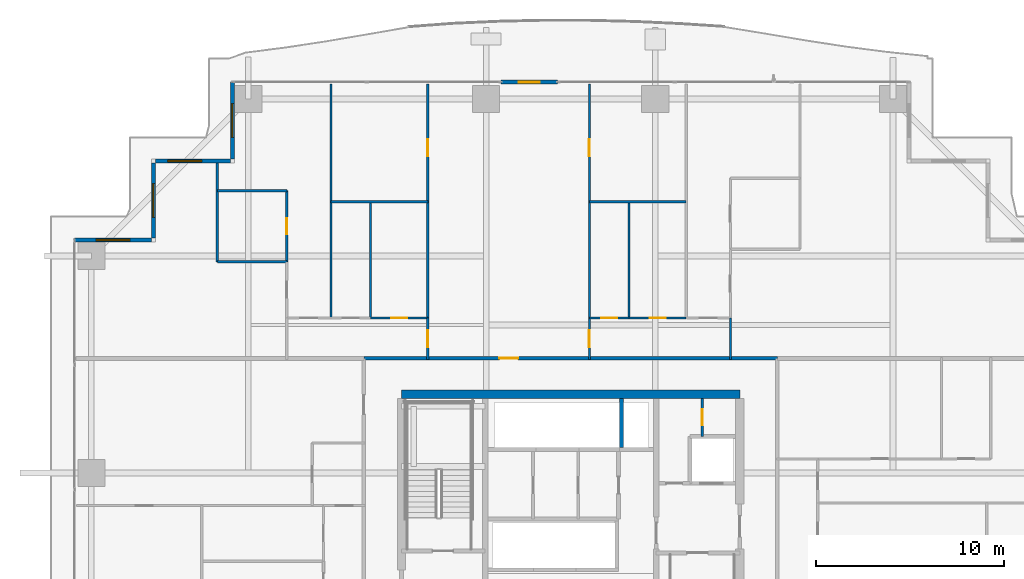
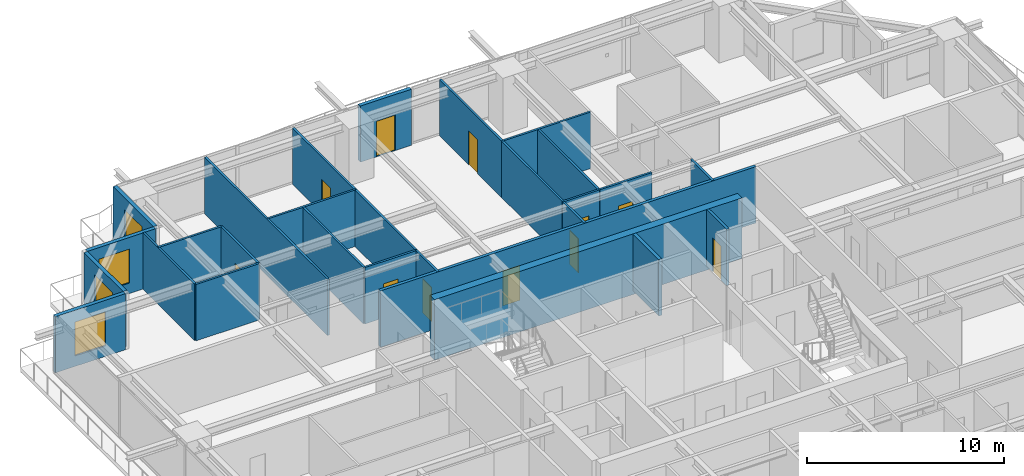
# One storey, part 31 of 39: 28 walls, 11 doors, 4 windows, 15 openings.
"""IFC4 building model written with IfcOpenShell, lengths in metres."""

import ifcopenshell
import ifcopenshell.guid

model = None  # the IFC model being written
_history = None  # IfcOwnerHistory: only IFC2X3 demands one
_inside = {}  # id of a spatial element -> (the spatial element, [elements in it])
_under = {}  # id of a project, library or spatial element -> (it, [spatial elements below it])
_declared = {}  # id of a project -> (the project, [libraries it declares])
_typed = {}  # id of a type object -> (the type object, [elements of that type])
_made_of = {}  # id of a material, layer set ... -> (it, [elements and type objects made of it])


def new_model(schema):
    """Start an empty IFC model of exactly this schema.

    Asked for "IFC4X3", IfcOpenShell would pick the latest addendum, in which some entities
    have other attributes; the version numbers below select the first issue.
    IFC2X3 requires an IfcOwnerHistory on every rooted entity: one is made here for all.
    """
    global model, _history
    if schema == "IFC4X3":
        model = ifcopenshell.file(schema_version=(4, 3, 0, 0))
    else:
        model = ifcopenshell.file(schema=schema)
    _inside.clear()
    _under.clear()
    _declared.clear()
    _typed.clear()
    _made_of.clear()
    _history = None
    if model.schema == "IFC2X3":
        org = make("IfcOrganization", Name="unknown")
        user = make(
            "IfcPersonAndOrganization",
            ThePerson=make("IfcPerson", FamilyName="unknown"),
            TheOrganization=org,
        )
        app = make(
            "IfcApplication",
            ApplicationDeveloper=org,
            Version="unknown",
            ApplicationFullName="unknown",
            ApplicationIdentifier="unknown",
        )
        _history = make(
            "IfcOwnerHistory",
            OwningUser=user,
            OwningApplication=app,
            ChangeAction="ADDED",
            CreationDate=0,
        )
    return model


def make(cls, **values):
    """One entity of the class cls with the attributes given. An attribute that is None is left unset."""
    return model.create_entity(
        cls, **{name: value for name, value in values.items() if value is not None}
    )


def rooted(cls, **values):
    """An entity with a GlobalId (a new one), such as an element, a storey or a relation."""
    return make(cls, GlobalId=ifcopenshell.guid.new(), OwnerHistory=_history, **values)


def si_unit(unit_type, name, prefix=None):
    """IfcSIUnit, for example si_unit("LENGTHUNIT", "METRE", prefix="MILLI")."""
    return make("IfcSIUnit", UnitType=unit_type, Prefix=prefix, Name=name)


def assignment(units):
    """IfcUnitAssignment: the units of a project."""
    return None if units is None else make("IfcUnitAssignment", Units=units)


def point(xyz):
    """IfcCartesianPoint."""
    return None if xyz is None else make("IfcCartesianPoint", Coordinates=xyz)


def direction(xyz):
    """IfcDirection."""
    return None if xyz is None else make("IfcDirection", DirectionRatios=xyz)


def frame(location, z_axis=None, x_axis=None):
    """IfcAxis2Placement3D, a coordinate frame: its origin and axes. An axis left out is left unset."""
    return make(
        "IfcAxis2Placement3D",
        Location=point(location),
        Axis=direction(z_axis),
        RefDirection=direction(x_axis),
    )


def frame_2d(location, x_axis=None):
    """IfcAxis2Placement2D, a coordinate frame in the plane: its origin and x axis."""
    return make(
        "IfcAxis2Placement2D", Location=point(location), RefDirection=direction(x_axis)
    )


def origin():
    """The frame at (0, 0, 0) with its axes left unset."""
    return frame((0.0, 0.0, 0.0))


def place(relative_to, where):
    """IfcLocalPlacement: puts the frame where relative to a parent placement (None: the world)."""
    return make(
        "IfcLocalPlacement", PlacementRelTo=relative_to, RelativePlacement=where
    )


def context(
    kind, dimensions, precision=None, world=None, true_north=None, identifier=None
):
    """IfcGeometricRepresentationContext, for example the 3D "Model" context."""
    return make(
        "IfcGeometricRepresentationContext",
        ContextIdentifier=identifier,
        ContextType=kind,
        CoordinateSpaceDimension=dimensions,
        Precision=precision,
        WorldCoordinateSystem=world,
        TrueNorth=true_north,
    )


def subcontext(parent, identifier, kind, view, scale=None):
    """IfcGeometricRepresentationSubContext, for example "Body" below "Model"."""
    return make(
        "IfcGeometricRepresentationSubContext",
        ContextIdentifier=identifier,
        ContextType=kind,
        ParentContext=parent,
        TargetScale=scale,
        TargetView=view,
    )


def project(units=None, contexts=None):
    """IfcProject with its units and contexts."""
    return rooted(
        "IfcProject",
        Name="project",
        RepresentationContexts=contexts,
        UnitsInContext=assignment(units),
    )


def spatial(cls, under=None, at=None, **own):
    """A site, building, storey or space (cls), placed at a placement, below another one or the project."""
    s = rooted(cls, ObjectPlacement=at, **own)
    if under is not None:
        _under.setdefault(under.id(), (under, []))[1].append(s)
    return s


def profile(cls, at=None, kind="AREA", **sizes):
    """A parametric profile (cls). Its sizes go by their IFC names, for example OverallWidth=200.0."""
    return make(cls, ProfileType=kind, Position=at, **sizes)


def rectangle(**sizes):
    """IfcRectangleProfileDef."""
    return profile("IfcRectangleProfileDef", **sizes)


def extrude(swept, where, along, depth):
    """IfcExtrudedAreaSolid: the profile swept, set in the frame where, extruded along a direction by depth."""
    return make(
        "IfcExtrudedAreaSolid",
        SweptArea=swept,
        Position=where,
        ExtrudedDirection=direction(along),
        Depth=depth,
    )


def shape(context_of_items, identifier, shape_type, items):
    """IfcShapeRepresentation: the items that make up one representation, for example the "Body"."""
    return make(
        "IfcShapeRepresentation",
        ContextOfItems=context_of_items,
        RepresentationIdentifier=identifier,
        RepresentationType=shape_type,
        Items=items,
    )


def source(mapping_origin, context_of_items, identifier, shape_type, items):
    """IfcRepresentationMap: a shape defined once, which mapped items show again and again."""
    return make(
        "IfcRepresentationMap",
        MappingOrigin=mapping_origin,
        MappedRepresentation=shape(context_of_items, identifier, shape_type, items),
    )


def transform(
    local_origin,
    x_axis=None,
    y_axis=None,
    z_axis=None,
    scale=None,
    scale2=None,
    scale3=None,
    uniform=True,
):
    """IfcCartesianTransformationOperator3D, or its non-uniform kind. x_axis, y_axis, z_axis: its Axis1, 2, 3."""
    if uniform:
        return make(
            "IfcCartesianTransformationOperator3D",
            Axis1=direction(x_axis),
            Axis2=direction(y_axis),
            LocalOrigin=point(local_origin),
            Scale=scale,
            Axis3=direction(z_axis),
        )
    return make(
        "IfcCartesianTransformationOperator3DnonUniform",
        Axis1=direction(x_axis),
        Axis2=direction(y_axis),
        LocalOrigin=point(local_origin),
        Scale=scale,
        Axis3=direction(z_axis),
        Scale2=scale2,
        Scale3=scale3,
    )


def mapped(mapping_source, mapping_target):
    """IfcMappedItem: shows the shape of a source again, moved by a transform."""
    return make(
        "IfcMappedItem", MappingSource=mapping_source, MappingTarget=mapping_target
    )


def material(Name=None, Category=None):
    """IfcMaterial."""
    return make("IfcMaterial", Name=Name, Category=Category)


def layer(
    of_material, thickness, ventilated=None, Name=None, Category=None, Priority=None
):
    """IfcMaterialLayer: one layer of a wall or slab, of a material (None: an air gap)."""
    return make(
        "IfcMaterialLayer",
        Material=of_material,
        LayerThickness=thickness,
        IsVentilated=ventilated,
        Name=Name,
        Category=Category,
        Priority=Priority,
    )


def layer_set(layers, Name=None):
    """IfcMaterialLayerSet."""
    return make("IfcMaterialLayerSet", MaterialLayers=layers, LayerSetName=Name)


def made_of(thing, what):
    """Note that an element or type object is made of a material, layer set ...; save() writes the relation."""
    if what is not None:
        _made_of.setdefault(what.id(), (what, []))[1].append(thing)
    return thing


def type_object(cls, material=None, **own):
    """A type object (cls), such as IfcWallType, which elements share."""
    return made_of(rooted(cls, **own), material)


def element(
    cls,
    number,
    at=None,
    inside=None,
    cuts=None,
    type_object=None,
    material=None,
    context=None,
    identifier="Body",
    shape_type=None,
    held_by="IfcProductDefinitionShape",
    body=None,
    shapes=None,
    **own,
):
    """One element of the class cls, such as IfcWall. Its Tag is "e" and its number.

    at: its placement. inside: the storey or other place that contains it. cuts: it is an
    opening in that element (IfcRelVoidsElement). A single representation is given by context,
    identifier, shape_type and body (its items); several are given by shapes. held_by: the class
    of the entity that holds the representations. save() writes the other relations.
    """
    e = rooted(cls, Tag="e%d" % number, ObjectPlacement=at, **own)
    if body is not None:
        shapes = [shape(context, identifier, shape_type, body)]
    if shapes is not None:
        e.Representation = make(held_by, Representations=shapes)
    if inside is not None:
        _inside.setdefault(inside.id(), (inside, []))[1].append(e)
    if cuts is not None:
        rooted(
            "IfcRelVoidsElement", RelatingBuildingElement=cuts, RelatedOpeningElement=e
        )
    if type_object is not None:
        _typed.setdefault(type_object.id(), (type_object, []))[1].append(e)
    return made_of(e, material)


def fill(opening, filler):
    """IfcRelFillsElement: the door or window that sits in an opening."""
    return rooted(
        "IfcRelFillsElement",
        RelatingOpeningElement=opening,
        RelatedBuildingElement=filler,
    )


def aggregate(whole, parts):
    """IfcRelAggregates: a whole, such as a stair, and the parts it consists of."""
    return rooted("IfcRelAggregates", RelatingObject=whole, RelatedObjects=parts)


def save(model, path):
    """Write the relations noted so far, then the file.

    IfcRelAggregates (storeys below a building ...), IfcRelContainedInSpatialStructure (elements
    in a storey), IfcRelDefinesByType, IfcRelAssociatesMaterial and IfcRelDeclares: one each for
    every whole, place, type object, material and project.
    """
    for whole, parts in _under.values():
        aggregate(whole, parts)
    for where, things in _inside.values():
        rooted(
            "IfcRelContainedInSpatialStructure",
            RelatedElements=things,
            RelatingStructure=where,
        )
    for kind, things in _typed.values():
        rooted("IfcRelDefinesByType", RelatedObjects=things, RelatingType=kind)
    for what, things in _made_of.values():
        rooted("IfcRelAssociatesMaterial", RelatedObjects=things, RelatingMaterial=what)
    for by, libraries in _declared.values():
        rooted("IfcRelDeclares", RelatingContext=by, RelatedDefinitions=libraries)
    model.write(path)


model = new_model("IFC4")

# Units and contexts
model_context = context("Model", 3, precision=1e-05, world=origin(), true_north=direction((0.0, 1.0)))
body_context = subcontext(model_context, "Body", "Model", "MODEL_VIEW")
ifc_project = project(units=[si_unit("LENGTHUNIT", "METRE"), si_unit("AREAUNIT", "SQUARE_METRE"), si_unit("VOLUMEUNIT", "CUBIC_METRE"), si_unit("PLANEANGLEUNIT", "RADIAN"), si_unit("MASSUNIT", "GRAM", prefix="KILO")], contexts=[model_context])

# Site, building, storey
site_placement = place(None, origin())
site = spatial("IfcSite", under=ifc_project, at=site_placement, CompositionType="ELEMENT")
building_placement = place(site_placement, origin())
building = spatial("IfcBuilding", under=site, at=building_placement, Name="Serunith Strait Residences", CompositionType="ELEMENT")
storey_placement = place(building_placement, frame((0.0, 0.0, 97.949951171875)))
storey = spatial("IfcBuildingStorey", under=building, at=storey_placement, Name="L24", CompositionType="ELEMENT", Elevation=97.949951171875)

# Wall, opening, door
ifc_material_1 = material(Name="Pale-Champagne Aluminium Insulated Panel", Category="aluminium")
ifc_layer_1 = layer(ifc_material_1, 0.219970703125, Name="Pale-Champagne Aluminium Insulated Panel")
ifc_layer_set_1 = layer_set([ifc_layer_1], Name="Pale-Champagne Aluminium Insulated Panel")
wall_type_1 = type_object("IfcWallType", Name="EW-ALUM-220", PredefinedType="ELEMENTEDWALL", material=ifc_layer_set_1)
wall_1_placement = place(storey_placement, frame((31.699951171875, 50.199951171875, 0.0), z_axis=(0.0, 0.0, 1.0), x_axis=(-1.0, 0.0, 0.0)))
wall_1 = element("IfcWall", 1, at=wall_1_placement, inside=storey, type_object=wall_type_1, Name="L24 N Facade Pier Wall", PredefinedType="ELEMENTEDWALL", context=body_context, shape_type="SweptSolid", body=[
    extrude(rectangle(XDim=3.0, YDim=0.219970703125, at=frame_2d((1.5, 0.0))), origin(), (0.0, 0.0, 1.0), 3.47509765625),
])
opening_1_placement = place(wall_1_placement, frame((0.949951171875, 0.0, 0.0)))
opening_1 = element("IfcOpeningElement", 2, at=opening_1_placement, cuts=wall_1, Name="Opening ED-03", PredefinedType="OPENING", context=body_context, shape_type="SweptSolid", body=[
    extrude(rectangle(XDim=1.10009765625, YDim=2.199951171875, at=frame_2d((0.550048828125, 1.10009765625))), frame((0.0, 0.1201171875, 0.0), z_axis=(0.0, -1.0, 0.0), x_axis=(1.0, 0.0, 0.0)), (0.0, 0.0, 1.0), 0.239990234375),
])
ifc_material_2 = material(Name="Thermally-Broken Aluminium Glazed Balcony Door", Category="aluminium")
door_type_1 = type_object("IfcDoorType", Name="ED-BALC-1100", OperationType="NOTDEFINED", PredefinedType="DOOR", material=ifc_material_2)
shared_shape_1 = source(origin(), body_context, "Body", "SweptSolid", [
    extrude(rectangle(XDim=1.10009765625, YDim=2.199951171875, at=frame_2d((0.550048828125, 1.10009765625))), frame((0.0, 0.02490234375, 0.0), z_axis=(0.0, -1.0, 0.0), x_axis=(1.0, 0.0, 0.0)), (0.0, 0.0, 1.0), 0.050048828125),
])
door_1_placement = place(opening_1_placement, origin())
door_1 = element("IfcDoor", 3, at=door_1_placement, inside=storey, type_object=door_type_1, Name="L24 N Vertical-Forest Balcony Door", OperationType="SINGLE_SWING_RIGHT", OverallHeight=2.199951171875, OverallWidth=1.10009765625, PredefinedType="DOOR", context=body_context, shape_type="MappedRepresentation", body=[
    mapped(shared_shape_1, transform((0.0, 0.0, 0.0), scale=1.0)),
])
fill(opening_1, door_1)

# Wall, opening, window
wall_2_placement = place(storey_placement, frame((14.39990234375, 50.199951171875, 0.0), z_axis=(0.0, 0.0, 1.0), x_axis=(0.0, -1.0, 0.0)))
wall_2 = element("IfcWall", 4, at=wall_2_placement, inside=storey, type_object=wall_type_1, Name="L24 Girih Serrated Corner Wall 12", PredefinedType="ELEMENTEDWALL", context=body_context, shape_type="SweptSolid", body=[
    extrude(rectangle(XDim=4.08984375, YDim=0.219970703125, at=frame_2d((2.044921875, 0.0))), origin(), (0.0, 0.0, 1.0), 3.47509765625),
])
opening_2_placement = place(wall_2_placement, frame((1.14501953125, 0.0, 0.64990234375)))
opening_2 = element("IfcOpeningElement", 5, at=opening_2_placement, cuts=wall_2, Name="Opening W-01", PredefinedType="OPENING", context=body_context, shape_type="SweptSolid", body=[
    extrude(rectangle(XDim=1.800048828125, YDim=2.10009765625, at=frame_2d((0.89990234375, 1.050048828125))), frame((0.0, 0.1201171875, 0.0), z_axis=(0.0, -1.0, 0.0), x_axis=(1.0, 0.0, 0.0)), (0.0, 0.0, 1.0), 0.239990234375),
])
ifc_material_3 = material(Name="Ceramic-Fritted Operable Aluminium Window Glass", Category="aluminium")
window_type = type_object("IfcWindowType", Name="WIN-C1", PartitioningType="DOUBLE_PANEL_VERTICAL", PredefinedType="WINDOW", material=ifc_material_3)
shared_shape_2 = source(origin(), body_context, "Body", "SweptSolid", [
    extrude(rectangle(XDim=1.800048828125, YDim=2.10009765625, at=frame_2d((0.89990234375, 1.050048828125))), frame((0.0, 0.030029296875, 0.0), z_axis=(0.0, -1.0, 0.0), x_axis=(1.0, 0.0, 0.0)), (0.0, 0.0, 1.0), 0.06005859375),
])
window_1_placement = place(opening_2_placement, origin())
window_1 = element("IfcWindow", 6, at=window_1_placement, inside=storey, type_object=window_type, Name="L24 Corner Operable Fritted Window 12", OverallHeight=2.10009765625, OverallWidth=1.800048828125, PartitioningType="SINGLE_PANEL", PredefinedType="WINDOW", context=body_context, shape_type="MappedRepresentation", body=[
    mapped(shared_shape_2, transform((0.0, 0.0, 0.0), scale=1.0)),
])
fill(opening_2, window_1)

wall_3_placement = place(storey_placement, frame((14.2900390625, 46.0, 0.0), z_axis=(0.0, 0.0, 1.0), x_axis=(-1.0, 0.0, 0.0)))
wall_3 = element("IfcWall", 7, at=wall_3_placement, inside=storey, type_object=wall_type_1, Name="L24 Girih Serrated Corner Wall 13", PredefinedType="ELEMENTEDWALL", context=body_context, shape_type="SweptSolid", body=[
    extrude(rectangle(XDim=3.97998046875, YDim=0.219970703125, at=frame_2d((1.989990234375, 0.0))), origin(), (0.0, 0.0, 1.0), 3.47509765625),
])
opening_3_placement = place(wall_3_placement, frame((1.52587890625, 0.0, 0.64990234375)))
opening_3 = element("IfcOpeningElement", 8, at=opening_3_placement, cuts=wall_3, Name="Opening W-01", PredefinedType="OPENING", context=body_context, shape_type="SweptSolid", body=[
    extrude(rectangle(XDim=1.800048828125, YDim=2.10009765625, at=frame_2d((0.89990234375, 1.050048828125))), frame((0.0, 0.1201171875, 0.0), z_axis=(0.0, -1.0, 0.0), x_axis=(1.0, 0.0, 0.0)), (0.0, 0.0, 1.0), 0.239990234375),
])
window_2_placement = place(opening_3_placement, origin())
window_2 = element("IfcWindow", 9, at=window_2_placement, inside=storey, type_object=window_type, Name="L24 Corner Operable Fritted Window 13", OverallHeight=2.10009765625, OverallWidth=1.800048828125, PartitioningType="SINGLE_PANEL", PredefinedType="WINDOW", context=body_context, shape_type="MappedRepresentation", body=[
    mapped(shared_shape_2, transform((0.0, 0.0, 0.0), scale=1.0)),
])
fill(opening_3, window_2)

wall_4_placement = place(storey_placement, frame((10.199951171875, 45.889892578125, 0.0), z_axis=(0.0, 0.0, 1.0), x_axis=(0.0, -1.0, 0.0)))
wall_4 = element("IfcWall", 10, at=wall_4_placement, inside=storey, type_object=wall_type_1, Name="L24 Girih Serrated Corner Wall 14", PredefinedType="ELEMENTEDWALL", context=body_context, shape_type="SweptSolid", body=[
    extrude(rectangle(XDim=3.97998046875, YDim=0.219970703125, at=frame_2d((1.989990234375, 0.0))), origin(), (0.0, 0.0, 1.0), 3.47509765625),
])
opening_4_placement = place(wall_4_placement, frame((1.090087890625, 0.0, 0.64990234375)))
opening_4 = element("IfcOpeningElement", 11, at=opening_4_placement, cuts=wall_4, Name="Opening W-01", PredefinedType="OPENING", context=body_context, shape_type="SweptSolid", body=[
    extrude(rectangle(XDim=1.800048828125, YDim=2.10009765625, at=frame_2d((0.89990234375, 1.050048828125))), frame((0.0, 0.1201171875, 0.0), z_axis=(0.0, -1.0, 0.0), x_axis=(1.0, 0.0, 0.0)), (0.0, 0.0, 1.0), 0.239990234375),
])
window_3_placement = place(opening_4_placement, origin())
window_3 = element("IfcWindow", 12, at=window_3_placement, inside=storey, type_object=window_type, Name="L24 Corner Operable Fritted Window 14", OverallHeight=2.10009765625, OverallWidth=1.800048828125, PartitioningType="SINGLE_PANEL", PredefinedType="WINDOW", context=body_context, shape_type="MappedRepresentation", body=[
    mapped(shared_shape_2, transform((0.0, 0.0, 0.0), scale=1.0)),
])
fill(opening_4, window_3)

wall_5_placement = place(storey_placement, frame((10.090087890625, 41.800048828125, 0.0), z_axis=(0.0, 0.0, 1.0), x_axis=(-1.0, 0.0, 0.0)))
wall_5 = element("IfcWall", 13, at=wall_5_placement, inside=storey, type_object=wall_type_1, Name="L24 Girih Serrated Corner Wall 15", PredefinedType="ELEMENTEDWALL", context=body_context, shape_type="SweptSolid", body=[
    extrude(rectangle(XDim=4.090087890625, YDim=0.219970703125, at=frame_2d((2.044921875, 0.0))), origin(), (0.0, 0.0, 1.0), 3.47509765625),
])
opening_5_placement = place(wall_5_placement, frame((1.14501953125, 0.0, 0.64990234375)))
opening_5 = element("IfcOpeningElement", 14, at=opening_5_placement, cuts=wall_5, Name="Opening W-01", PredefinedType="OPENING", context=body_context, shape_type="SweptSolid", body=[
    extrude(rectangle(XDim=1.800048828125, YDim=2.10009765625, at=frame_2d((0.89990234375, 1.050048828125))), frame((0.0, 0.1201171875, 0.0), z_axis=(0.0, -1.0, 0.0), x_axis=(1.0, 0.0, 0.0)), (0.0, 0.0, 1.0), 0.239990234375),
])
window_4_placement = place(opening_5_placement, origin())
window_4 = element("IfcWindow", 15, at=window_4_placement, inside=storey, type_object=window_type, Name="L24 Corner Operable Fritted Window 15", OverallHeight=2.10009765625, OverallWidth=1.800048828125, PartitioningType="SINGLE_PANEL", PredefinedType="WINDOW", context=body_context, shape_type="MappedRepresentation", body=[
    mapped(shared_shape_2, transform((0.0, 0.0, 0.0), scale=1.0)),
])
fill(opening_5, window_4)

# Wall, opening, door
ifc_material_4 = material(Name="Fire-rated masonry service closet wall", Category="masonry")
ifc_layer_2 = layer(ifc_material_4, 0.14990234375, Name="Fire-rated masonry service closet wall")
ifc_layer_set_2 = layer_set([ifc_layer_2], Name="Fire-rated masonry service closet wall")
wall_type_2 = type_object("IfcWallType", Name="IW-BOH-150", PredefinedType="PARTITIONING", material=ifc_layer_set_2)
wall_6_placement = place(storey_placement, frame((39.39990234375, 31.35009765625, 0.0), z_axis=(0.0, 0.0, 1.0), x_axis=(0.0, 1.0, 0.0)))
wall_6 = element("IfcWall", 16, at=wall_6_placement, inside=storey, type_object=wall_type_2, Name="L24 Partition Wall 013", PredefinedType="PARTITIONING", context=body_context, shape_type="SweptSolid", body=[
    extrude(rectangle(XDim=2.02490234375, YDim=0.14990234375, at=frame_2d((1.012451171875, 0.0))), origin(), (0.0, 0.0, 1.0), 3.489990234375),
])
opening_6_placement = place(wall_6_placement, frame((0.5869140625, 0.0, 0.0)))
opening_6 = element("IfcOpeningElement", 17, at=opening_6_placement, cuts=wall_6, Name="Opening FD-850", PredefinedType="OPENING", context=body_context, shape_type="SweptSolid", body=[
    extrude(rectangle(XDim=0.85009765625, YDim=2.10009765625, at=frame_2d((0.425048828125, 1.050048828125))), frame((0.0, 0.0849609375, 0.0), z_axis=(0.0, -1.0, 0.0), x_axis=(1.0, 0.0, 0.0)), (0.0, 0.0, 1.0), 0.169921875),
])
ifc_material_5 = material(Name="Powder-coated steel service closet door", Category="steel")
door_type_2 = type_object("IfcDoorType", Name="FD-BOH-850", OperationType="NOTDEFINED", PredefinedType="DOOR", material=ifc_material_5)
shared_shape_3 = source(origin(), body_context, "Body", "SweptSolid", [
    extrude(rectangle(XDim=0.85009765625, YDim=2.10009765625, at=frame_2d((0.425048828125, 1.050048828125))), frame((0.0, 0.02490234375, 0.0), z_axis=(0.0, -1.0, 0.0), x_axis=(1.0, 0.0, 0.0)), (0.0, 0.0, 1.0), 0.050048828125),
])
door_2_placement = place(opening_6_placement, origin())
door_2 = element("IfcDoor", 18, at=door_2_placement, inside=storey, type_object=door_type_2, Name="L24 Janitor Store Door", OperationType="SINGLE_SWING_LEFT", OverallHeight=2.10009765625, OverallWidth=0.85009765625, PredefinedType="DOOR", context=body_context, shape_type="MappedRepresentation", body=[
    mapped(shared_shape_3, transform((0.0, 0.0, 0.0), scale=1.0)),
])
fill(opening_6, door_2)

ifc_material_6 = material(Name="Fire-rated acoustic gypsum partition")
ifc_layer_3 = layer(ifc_material_6, 0.179931640625, Name="Fire-rated acoustic gypsum partition")
ifc_layer_set_3 = layer_set([ifc_layer_3], Name="Fire-rated acoustic gypsum partition")
wall_type_3 = type_object("IfcWallType", Name="IW-CORR-180", PredefinedType="PARTITIONING", material=ifc_layer_set_3)
wall_7_placement = place(storey_placement, frame((21.402099609375, 35.5, 0.0), z_axis=(0.0, 0.0, 1.0), x_axis=(1.0, 0.0, 0.0)))
wall_7 = element("IfcWall", 19, at=wall_7_placement, inside=storey, type_object=wall_type_3, Name="L24 Partition Wall 023", PredefinedType="PARTITIONING", context=body_context, shape_type="SweptSolid", body=[
    extrude(rectangle(XDim=21.995849609375, YDim=0.179931640625, at=frame_2d((10.998046875, 0.0))), origin(), (0.0, 0.0, 1.0), 3.489990234375),
])
opening_7_placement = place(wall_7_placement, frame((7.201904296875, 0.0, 0.0)))
opening_7 = element("IfcOpeningElement", 20, at=opening_7_placement, cuts=wall_7, Name="Opening D-APT1000", PredefinedType="OPENING", context=body_context, shape_type="SweptSolid", body=[
    extrude(rectangle(XDim=1.0, YDim=2.14990234375, at=frame_2d((0.5, 1.074951171875))), frame((0.0, 0.10009765625, 0.0), z_axis=(0.0, -1.0, 0.0), x_axis=(1.0, 0.0, 0.0)), (0.0, 0.0, 1.0), 0.199951171875),
])
ifc_material_7 = material(Name="Solid timber engineered fire door", Category="wood")
door_type_3 = type_object("IfcDoorType", Name="ID-APT-1000", OperationType="NOTDEFINED", PredefinedType="DOOR", material=ifc_material_7)
shared_shape_4 = source(origin(), body_context, "Body", "SweptSolid", [
    extrude(rectangle(XDim=1.0, YDim=2.14990234375, at=frame_2d((0.5, 1.074951171875))), frame((0.0, 0.02490234375, 0.0), z_axis=(0.0, -1.0, 0.0), x_axis=(1.0, 0.0, 0.0)), (0.0, 0.0, 1.0), 0.050048828125),
])
door_3_placement = place(opening_7_placement, origin())
door_3 = element("IfcDoor", 21, at=door_3_placement, inside=storey, type_object=door_type_3, Name="L24 Unit 03 Entrance Door", OperationType="SINGLE_SWING_LEFT", OverallHeight=2.14990234375, OverallWidth=1.0, PredefinedType="DOOR", context=body_context, shape_type="MappedRepresentation", body=[
    mapped(shared_shape_4, transform((0.0, 0.0, 0.0), scale=1.0)),
])
fill(opening_7, door_3)

ifc_material_8 = material(Name="Lightweight steel-stud gypsum partition", Category="steel")
ifc_layer_4 = layer(ifc_material_8, 0.1201171875, Name="Lightweight steel-stud gypsum partition")
ifc_layer_set_4 = layer_set([ifc_layer_4], Name="Lightweight steel-stud gypsum partition")
wall_type_4 = type_object("IfcWallType", Name="IW-PART-120", PredefinedType="PARTITIONING", material=ifc_layer_set_4)
wall_8_placement = place(storey_placement, frame((24.800048828125, 37.64990234375, 0.0), z_axis=(0.0, 0.0, 1.0), x_axis=(0.0, -1.0, 0.0)))
wall_8 = element("IfcWall", 22, at=wall_8_placement, inside=storey, type_object=wall_type_4, Name="L24 Partition Wall 060", PredefinedType="PARTITIONING", context=body_context, shape_type="SweptSolid", body=[
    extrude(rectangle(XDim=2.2099609375, YDim=0.1201171875, at=frame_2d((1.10498046875, 0.0))), origin(), (0.0, 0.0, 1.0), 3.489990234375),
])
opening_8_placement = place(wall_8_placement, frame((0.655029296875, 0.0, 0.0)))
opening_8 = element("IfcOpeningElement", 23, at=opening_8_placement, cuts=wall_8, Name="Opening D-RM900", PredefinedType="OPENING", context=body_context, shape_type="SweptSolid", body=[
    extrude(rectangle(XDim=0.89990234375, YDim=2.10009765625, at=frame_2d((0.449951171875, 1.050048828125))), frame((0.0, 0.070068359375, 0.0), z_axis=(0.0, -1.0, 0.0), x_axis=(1.0, 0.0, 0.0)), (0.0, 0.0, 1.0), 0.14013671875),
])
ifc_material_9 = material(Name="Engineered timber flush bedroom door", Category="wood")
door_type_4 = type_object("IfcDoorType", Name="ID-ROOM-900", OperationType="NOTDEFINED", PredefinedType="DOOR", material=ifc_material_9)
shared_shape_5 = source(origin(), body_context, "Body", "SweptSolid", [
    extrude(rectangle(XDim=0.89990234375, YDim=2.10009765625, at=frame_2d((0.449951171875, 1.050048828125))), frame((0.0, 0.02490234375, 0.0), z_axis=(0.0, -1.0, 0.0), x_axis=(1.0, 0.0, 0.0)), (0.0, 0.0, 1.0), 0.050048828125),
])
door_4_placement = place(opening_8_placement, origin())
door_4 = element("IfcDoor", 24, at=door_4_placement, inside=storey, type_object=door_type_4, Name="L24 Hall W 2403 Door", OperationType="SINGLE_SWING_RIGHT", OverallHeight=2.10009765625, OverallWidth=0.89990234375, PredefinedType="DOOR", context=body_context, shape_type="MappedRepresentation", body=[
    mapped(shared_shape_5, transform((0.0, 0.0, 0.0), scale=1.0)),
])
fill(opening_8, door_4)

wall_9_placement = place(storey_placement, frame((24.800048828125, 50.10498046875, 0.0), z_axis=(0.0, 0.0, 1.0), x_axis=(0.0, -1.0, 0.0)))
wall_9 = element("IfcWall", 25, at=wall_9_placement, inside=storey, type_object=wall_type_4, Name="L24 Partition Wall 061", PredefinedType="PARTITIONING", context=body_context, shape_type="SweptSolid", body=[
    extrude(rectangle(XDim=6.26904296875, YDim=0.1201171875, at=frame_2d((3.134521484375, 0.0))), origin(), (0.0, 0.0, 1.0), 3.489990234375),
])
opening_9_placement = place(wall_9_placement, frame((2.952880859375, 0.0, 0.0)))
opening_9 = element("IfcOpeningElement", 26, at=opening_9_placement, cuts=wall_9, Name="Opening D-RM900", PredefinedType="OPENING", context=body_context, shape_type="SweptSolid", body=[
    extrude(rectangle(XDim=0.89990234375, YDim=2.10009765625, at=frame_2d((0.449951171875, 1.050048828125))), frame((0.0, 0.070068359375, 0.0), z_axis=(0.0, -1.0, 0.0), x_axis=(1.0, 0.0, 0.0)), (0.0, 0.0, 1.0), 0.14013671875),
])
door_5_placement = place(opening_9_placement, origin())
door_5 = element("IfcDoor", 27, at=door_5_placement, inside=storey, type_object=door_type_4, Name="L24 Formal Dining Room 1 2403 Door", OperationType="SINGLE_SWING_LEFT", OverallHeight=2.10009765625, OverallWidth=0.89990234375, PredefinedType="DOOR", context=body_context, shape_type="MappedRepresentation", body=[
    mapped(shared_shape_5, transform((0.0, 0.0, 0.0), scale=1.0)),
])
fill(opening_9, door_5)

# Walls
wall_10_placement = place(storey_placement, frame((24.800048828125, 43.833984375, 0.0), z_axis=(0.0, 0.0, 1.0), x_axis=(0.0, -1.0, 0.0)))
element("IfcWall", 28, at=wall_10_placement, inside=storey, type_object=wall_type_4, Name="L24 Partition Wall 062", PredefinedType="PARTITIONING", context=body_context, shape_type="SweptSolid", body=[
    extrude(rectangle(XDim=6.181884765625, YDim=0.1201171875, at=frame_2d((3.0908203125, 0.0))), origin(), (0.0, 0.0, 1.0), 3.489990234375),
])
wall_11_placement = place(storey_placement, frame((19.64990234375, 43.8359375, 0.0), z_axis=(0.0, 0.0, 1.0), x_axis=(1.0, 0.0, 0.0)))
element("IfcWall", 29, at=wall_11_placement, inside=storey, type_object=wall_type_4, Name="L24 Partition Wall 063", PredefinedType="PARTITIONING", context=body_context, shape_type="SweptSolid", body=[
    extrude(rectangle(XDim=5.150146484375, YDim=0.1201171875, at=frame_2d((2.5751953125, 0.0))), origin(), (0.0, 0.0, 1.0), 3.489990234375),
])
wall_12_placement = place(storey_placement, frame((19.64990234375, 50.10498046875, 0.0), z_axis=(0.0, 0.0, 1.0), x_axis=(0.0, -1.0, 0.0)))
element("IfcWall", 30, at=wall_12_placement, inside=storey, type_object=wall_type_4, Name="L24 Partition Wall 064", PredefinedType="PARTITIONING", context=body_context, shape_type="SweptSolid", body=[
    extrude(rectangle(XDim=12.455078125, YDim=0.1201171875, at=frame_2d((6.2275390625, 0.0))), origin(), (0.0, 0.0, 1.0), 3.489990234375),
])
wall_13_placement = place(storey_placement, frame((21.75, 43.8359375, 0.0), z_axis=(0.0, 0.0, 1.0), x_axis=(0.0, -1.0, 0.0)))
element("IfcWall", 31, at=wall_13_placement, inside=storey, type_object=wall_type_4, Name="L24 Partition Wall 065", PredefinedType="PARTITIONING", context=body_context, shape_type="SweptSolid", body=[
    extrude(rectangle(XDim=6.18603515625, YDim=0.1201171875, at=frame_2d((3.093017578125, 0.0))), origin(), (0.0, 0.0, 1.0), 3.489990234375),
])

# Wall, opening, door
wall_14_placement = place(storey_placement, frame((21.751953125, 37.64990234375, 0.0), z_axis=(0.0, 0.0, 1.0), x_axis=(1.0, 0.0, 0.0)))
wall_14 = element("IfcWall", 32, at=wall_14_placement, inside=storey, type_object=wall_type_4, Name="L24 Partition Wall 067", PredefinedType="PARTITIONING", context=body_context, shape_type="SweptSolid", body=[
    extrude(rectangle(XDim=3.048095703125, YDim=0.1201171875, at=frame_2d((1.52392578125, 0.0))), origin(), (0.0, 0.0, 1.0), 3.489990234375),
])
opening_10_placement = place(wall_14_placement, frame((1.09912109375, 0.0, 0.0)))
opening_10 = element("IfcOpeningElement", 33, at=opening_10_placement, cuts=wall_14, Name="Opening D-RM850", PredefinedType="OPENING", context=body_context, shape_type="SweptSolid", body=[
    extrude(rectangle(XDim=0.85009765625, YDim=2.10009765625, at=frame_2d((0.425048828125, 1.050048828125))), frame((0.0, 0.070068359375, 0.0), z_axis=(0.0, -1.0, 0.0), x_axis=(1.0, 0.0, 0.0)), (0.0, 0.0, 1.0), 0.14013671875),
])
ifc_material_10 = material(Name="Engineered timber flush study and kitchen door", Category="wood")
door_type_5 = type_object("IfcDoorType", Name="ID-ROOM-850", OperationType="NOTDEFINED", PredefinedType="DOOR", material=ifc_material_10)
door_6_placement = place(opening_10_placement, origin())
door_6 = element("IfcDoor", 34, at=door_6_placement, inside=storey, type_object=door_type_5, Name="L24 Kitchen 2403 Door", OperationType="SINGLE_SWING_LEFT", OverallHeight=2.10009765625, OverallWidth=0.85009765625, PredefinedType="DOOR", context=body_context, shape_type="MappedRepresentation", body=[
    mapped(shared_shape_3, transform((0.0, 0.0, 0.0), scale=1.0)),
])
fill(opening_10, door_6)

# Walls
wall_15_placement = place(storey_placement, frame((13.60009765625, 44.422119140625, 0.0), z_axis=(0.0, 0.0, 1.0), x_axis=(1.0, 0.0, 0.0)))
element("IfcWall", 35, at=wall_15_placement, inside=storey, type_object=wall_type_4, Name="L24 Partition Wall 069", PredefinedType="PARTITIONING", context=body_context, shape_type="SweptSolid", body=[
    extrude(rectangle(XDim=3.699951171875, YDim=0.1201171875, at=frame_2d((1.85009765625, 0.0))), origin(), (0.0, 0.0, 1.0), 3.489990234375),
])
wall_16_placement = place(storey_placement, frame((13.60009765625, 45.905029296875, 0.0), z_axis=(0.0, 0.0, 1.0), x_axis=(0.0, -1.0, 0.0)))
element("IfcWall", 36, at=wall_16_placement, inside=storey, type_object=wall_type_4, Name="L24 Partition Wall 070", PredefinedType="PARTITIONING", context=body_context, shape_type="SweptSolid", body=[
    extrude(rectangle(XDim=5.26708984375, YDim=0.1201171875, at=frame_2d((2.633544921875, 0.0))), origin(), (0.0, 0.0, 1.0), 3.489990234375),
])
wall_17_placement = place(storey_placement, frame((13.60009765625, 40.637939453125, 0.0), z_axis=(0.0, 0.0, 1.0), x_axis=(1.0, 0.0, 0.0)))
element("IfcWall", 37, at=wall_17_placement, inside=storey, type_object=wall_type_4, Name="L24 Partition Wall 071", PredefinedType="PARTITIONING", context=body_context, shape_type="SweptSolid", body=[
    extrude(rectangle(XDim=3.699951171875, YDim=0.1201171875, at=frame_2d((1.85009765625, 0.0))), origin(), (0.0, 0.0, 1.0), 3.489990234375),
])

# Wall, opening, door
wall_18_placement = place(storey_placement, frame((17.300048828125, 44.422119140625, 0.0), z_axis=(0.0, 0.0, 1.0), x_axis=(0.0, -1.0, 0.0)))
wall_18 = element("IfcWall", 38, at=wall_18_placement, inside=storey, type_object=wall_type_4, Name="L24 Partition Wall 072", PredefinedType="PARTITIONING", context=body_context, shape_type="SweptSolid", body=[
    extrude(rectangle(XDim=3.7841796875, YDim=0.1201171875, at=frame_2d((1.89208984375, 0.0))), origin(), (0.0, 0.0, 1.0), 3.489990234375),
])
opening_11_placement = place(wall_18_placement, frame((1.467041015625, 0.0, 0.0)))
opening_11 = element("IfcOpeningElement", 39, at=opening_11_placement, cuts=wall_18, Name="Opening D-BTH850", PredefinedType="OPENING", context=body_context, shape_type="SweptSolid", body=[
    extrude(rectangle(XDim=0.85009765625, YDim=2.10009765625, at=frame_2d((0.425048828125, 1.050048828125))), frame((0.0, 0.070068359375, 0.0), z_axis=(0.0, -1.0, 0.0), x_axis=(1.0, 0.0, 0.0)), (0.0, 0.0, 1.0), 0.14013671875),
])
ifc_material_11 = material(Name="Moisture-resistant timber bathroom door", Category="wood")
door_type_6 = type_object("IfcDoorType", Name="ID-BATH-850", OperationType="NOTDEFINED", PredefinedType="DOOR", material=ifc_material_11)
door_7_placement = place(opening_11_placement, origin())
door_7 = element("IfcDoor", 40, at=door_7_placement, inside=storey, type_object=door_type_6, Name="L24 En-suite Bathroom W 2403 Door", OperationType="SINGLE_SWING_LEFT", OverallHeight=2.10009765625, OverallWidth=0.85009765625, PredefinedType="DOOR", context=body_context, shape_type="MappedRepresentation", body=[
    mapped(shared_shape_3, transform((0.0, 0.0, 0.0), scale=1.0)),
])
fill(opening_11, door_7)

wall_19_placement = place(storey_placement, frame((33.39990234375, 37.64990234375, 0.0), z_axis=(0.0, 0.0, 1.0), x_axis=(0.0, -1.0, 0.0)))
wall_19 = element("IfcWall", 41, at=wall_19_placement, inside=storey, type_object=wall_type_4, Name="L24 Partition Wall 075", PredefinedType="PARTITIONING", context=body_context, shape_type="SweptSolid", body=[
    extrude(rectangle(XDim=2.2099609375, YDim=0.1201171875, at=frame_2d((1.10498046875, 0.0))), origin(), (0.0, 0.0, 1.0), 3.489990234375),
])
opening_12_placement = place(wall_19_placement, frame((0.655029296875, 0.0, 0.0)))
opening_12 = element("IfcOpeningElement", 42, at=opening_12_placement, cuts=wall_19, Name="Opening D-RM900", PredefinedType="OPENING", context=body_context, shape_type="SweptSolid", body=[
    extrude(rectangle(XDim=0.89990234375, YDim=2.10009765625, at=frame_2d((0.449951171875, 1.050048828125))), frame((0.0, 0.070068359375, 0.0), z_axis=(0.0, -1.0, 0.0), x_axis=(1.0, 0.0, 0.0)), (0.0, 0.0, 1.0), 0.14013671875),
])
door_8_placement = place(opening_12_placement, origin())
door_8 = element("IfcDoor", 43, at=door_8_placement, inside=storey, type_object=door_type_4, Name="L24 Hall E 2403 Door", OperationType="SINGLE_SWING_LEFT", OverallHeight=2.10009765625, OverallWidth=0.89990234375, PredefinedType="DOOR", context=body_context, shape_type="MappedRepresentation", body=[
    mapped(shared_shape_5, transform((0.0, 0.0, 0.0), scale=1.0)),
])
fill(opening_12, door_8)

wall_20_placement = place(storey_placement, frame((33.39990234375, 50.10498046875, 0.0), z_axis=(0.0, 0.0, 1.0), x_axis=(0.0, -1.0, 0.0)))
wall_20 = element("IfcWall", 44, at=wall_20_placement, inside=storey, type_object=wall_type_4, Name="L24 Partition Wall 076", PredefinedType="PARTITIONING", context=body_context, shape_type="SweptSolid", body=[
    extrude(rectangle(XDim=6.26904296875, YDim=0.1201171875, at=frame_2d((3.134521484375, 0.0))), origin(), (0.0, 0.0, 1.0), 3.489990234375),
])
opening_13_placement = place(wall_20_placement, frame((2.952880859375, 0.0, 0.0)))
opening_13 = element("IfcOpeningElement", 45, at=opening_13_placement, cuts=wall_20, Name="Opening D-RM900", PredefinedType="OPENING", context=body_context, shape_type="SweptSolid", body=[
    extrude(rectangle(XDim=0.89990234375, YDim=2.10009765625, at=frame_2d((0.449951171875, 1.050048828125))), frame((0.0, 0.070068359375, 0.0), z_axis=(0.0, -1.0, 0.0), x_axis=(1.0, 0.0, 0.0)), (0.0, 0.0, 1.0), 0.14013671875),
])
door_9_placement = place(opening_13_placement, origin())
door_9 = element("IfcDoor", 46, at=door_9_placement, inside=storey, type_object=door_type_4, Name="L24 Formal Dining Room 3 2403 Door", OperationType="SINGLE_SWING_RIGHT", OverallHeight=2.10009765625, OverallWidth=0.89990234375, PredefinedType="DOOR", context=body_context, shape_type="MappedRepresentation", body=[
    mapped(shared_shape_5, transform((0.0, 0.0, 0.0), scale=1.0)),
])
fill(opening_13, door_9)

# Walls
wall_21_placement = place(storey_placement, frame((33.39990234375, 43.833984375, 0.0), z_axis=(0.0, 0.0, 1.0), x_axis=(0.0, -1.0, 0.0)))
element("IfcWall", 47, at=wall_21_placement, inside=storey, type_object=wall_type_4, Name="L24 Partition Wall 077", PredefinedType="PARTITIONING", context=body_context, shape_type="SweptSolid", body=[
    extrude(rectangle(XDim=6.181884765625, YDim=0.1201171875, at=frame_2d((3.0908203125, 0.0))), origin(), (0.0, 0.0, 1.0), 3.489990234375),
])
wall_22_placement = place(storey_placement, frame((33.39990234375, 43.8359375, 0.0), z_axis=(0.0, 0.0, 1.0), x_axis=(1.0, 0.0, 0.0)))
element("IfcWall", 48, at=wall_22_placement, inside=storey, type_object=wall_type_4, Name="L24 Partition Wall 078", PredefinedType="PARTITIONING", context=body_context, shape_type="SweptSolid", body=[
    extrude(rectangle(XDim=5.150146484375, YDim=0.1201171875, at=frame_2d((2.5751953125, 0.0))), origin(), (0.0, 0.0, 1.0), 3.489990234375),
])
wall_23_placement = place(storey_placement, frame((35.5, 43.8359375, 0.0), z_axis=(0.0, 0.0, 1.0), x_axis=(0.0, -1.0, 0.0)))
element("IfcWall", 49, at=wall_23_placement, inside=storey, type_object=wall_type_4, Name="L24 Partition Wall 080", PredefinedType="PARTITIONING", context=body_context, shape_type="SweptSolid", body=[
    extrude(rectangle(XDim=6.18603515625, YDim=0.1201171875, at=frame_2d((3.093017578125, 0.0))), origin(), (0.0, 0.0, 1.0), 3.489990234375),
])

# Wall, opening, door
wall_24_placement = place(storey_placement, frame((33.39990234375, 37.64990234375, 0.0), z_axis=(0.0, 0.0, 1.0), x_axis=(1.0, 0.0, 0.0)))
wall_24 = element("IfcWall", 50, at=wall_24_placement, inside=storey, type_object=wall_type_4, Name="L24 Partition Wall 081", PredefinedType="PARTITIONING", context=body_context, shape_type="SweptSolid", body=[
    extrude(rectangle(XDim=2.10009765625, YDim=0.1201171875, at=frame_2d((1.050048828125, 0.0))), origin(), (0.0, 0.0, 1.0), 3.489990234375),
])
opening_14_placement = place(wall_24_placement, frame((0.625, 0.0, 0.0)))
opening_14 = element("IfcOpeningElement", 51, at=opening_14_placement, cuts=wall_24, Name="Opening D-RM850", PredefinedType="OPENING", context=body_context, shape_type="SweptSolid", body=[
    extrude(rectangle(XDim=0.85009765625, YDim=2.10009765625, at=frame_2d((0.425048828125, 1.050048828125))), frame((0.0, 0.070068359375, 0.0), z_axis=(0.0, -1.0, 0.0), x_axis=(1.0, 0.0, 0.0)), (0.0, 0.0, 1.0), 0.14013671875),
])
door_10_placement = place(opening_14_placement, origin())
door_10 = element("IfcDoor", 52, at=door_10_placement, inside=storey, type_object=door_type_5, Name="L24 Study 2403 Door", OperationType="SINGLE_SWING_LEFT", OverallHeight=2.10009765625, OverallWidth=0.85009765625, PredefinedType="DOOR", context=body_context, shape_type="MappedRepresentation", body=[
    mapped(shared_shape_3, transform((0.0, 0.0, 0.0), scale=1.0)),
])
fill(opening_14, door_10)

wall_25_placement = place(storey_placement, frame((35.501953125, 37.64990234375, 0.0), z_axis=(0.0, 0.0, 1.0), x_axis=(1.0, 0.0, 0.0)))
wall_25 = element("IfcWall", 53, at=wall_25_placement, inside=storey, type_object=wall_type_4, Name="L24 Partition Wall 082", PredefinedType="PARTITIONING", context=body_context, shape_type="SweptSolid", body=[
    extrude(rectangle(XDim=3.048095703125, YDim=0.1201171875, at=frame_2d((1.52392578125, 0.0))), origin(), (0.0, 0.0, 1.0), 3.489990234375),
])
opening_15_placement = place(wall_25_placement, frame((1.09912109375, 0.0, 0.0)))
opening_15 = element("IfcOpeningElement", 54, at=opening_15_placement, cuts=wall_25, Name="Opening D-RM850", PredefinedType="OPENING", context=body_context, shape_type="SweptSolid", body=[
    extrude(rectangle(XDim=0.85009765625, YDim=2.10009765625, at=frame_2d((0.425048828125, 1.050048828125))), frame((0.0, 0.070068359375, 0.0), z_axis=(0.0, -1.0, 0.0), x_axis=(1.0, 0.0, 0.0)), (0.0, 0.0, 1.0), 0.14013671875),
])
door_11_placement = place(opening_15_placement, origin())
door_11 = element("IfcDoor", 55, at=door_11_placement, inside=storey, type_object=door_type_5, Name="L24 Formal Dining Room 2403 Door", OperationType="SINGLE_SWING_RIGHT", OverallHeight=2.10009765625, OverallWidth=0.85009765625, PredefinedType="DOOR", context=body_context, shape_type="MappedRepresentation", body=[
    mapped(shared_shape_3, transform((0.0, 0.0, 0.0), scale=1.0)),
])
fill(opening_15, door_11)

# Walls
wall_26_placement = place(storey_placement, frame((40.89990234375, 37.64794921875, 0.0), z_axis=(0.0, 0.0, 1.0), x_axis=(0.0, -1.0, 0.0)))
element("IfcWall", 56, at=wall_26_placement, inside=storey, type_object=wall_type_4, Name="L24 Partition Wall 089", PredefinedType="PARTITIONING", context=body_context, shape_type="SweptSolid", body=[
    extrude(rectangle(XDim=2.2080078125, YDim=0.1201171875, at=frame_2d((1.10400390625, 0.0))), origin(), (0.0, 0.0, 1.0), 3.489990234375),
])
ifc_material_12 = material(Name="Autoclaved aerated concrete blockwork", Category="masonry")
ifc_layer_5 = layer(ifc_material_12, 0.199951171875, Name="Autoclaved aerated concrete blockwork")
ifc_layer_set_5 = layer_set([ifc_layer_5], Name="Autoclaved aerated concrete blockwork")
wall_type_5 = type_object("IfcWallType", Name="IW-SHAFT-200", PredefinedType="STANDARD", material=ifc_layer_set_5)
wall_27_placement = place(storey_placement, frame((35.10009765625, 30.75, 0.0), z_axis=(0.0, 0.0, 1.0), x_axis=(0.0, 1.0, 0.0)))
element("IfcWall", 57, at=wall_27_placement, inside=storey, type_object=wall_type_5, Name="L24 SL-1 West Shaft Wall", PredefinedType="STANDARD", context=body_context, shape_type="SweptSolid", body=[
    extrude(rectangle(XDim=2.625, YDim=0.199951171875, at=frame_2d((1.3125, 0.0))), origin(), (0.0, 0.0, 1.0), 3.489990234375),
])
ifc_material_13 = material(Name="Concrete C80/95", Category="concrete")
ifc_layer_6 = layer(ifc_material_13, 0.449951171875, Name="Concrete C80/95")
ifc_layer_set_6 = layer_set([ifc_layer_6], Name="Concrete C80/95")
wall_type_6 = type_object("IfcWallType", Name="SW-450-C80", PredefinedType="SHEAR", material=ifc_layer_set_6)
wall_28_placement = place(storey_placement, frame((41.39990234375, 33.60009765625, -0.260009765625), z_axis=(0.0, 0.0, 1.0), x_axis=(-1.0, 0.0, 0.0)))
element("IfcWall", 58, at=wall_28_placement, inside=storey, type_object=wall_type_6, Name="L24 Core North Shear Wall", PredefinedType="SHEAR", context=body_context, shape_type="SweptSolid", body=[
    extrude(rectangle(XDim=18.0, YDim=0.449951171875, at=frame_2d((9.0, 0.0))), origin(), (0.0, 0.0, 1.0), 3.748046875),
])

save(model, "model.ifc")
